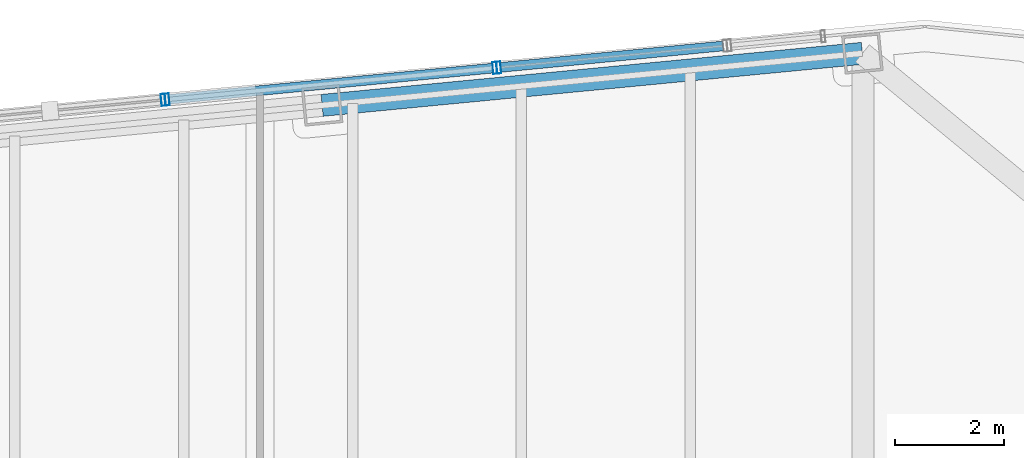
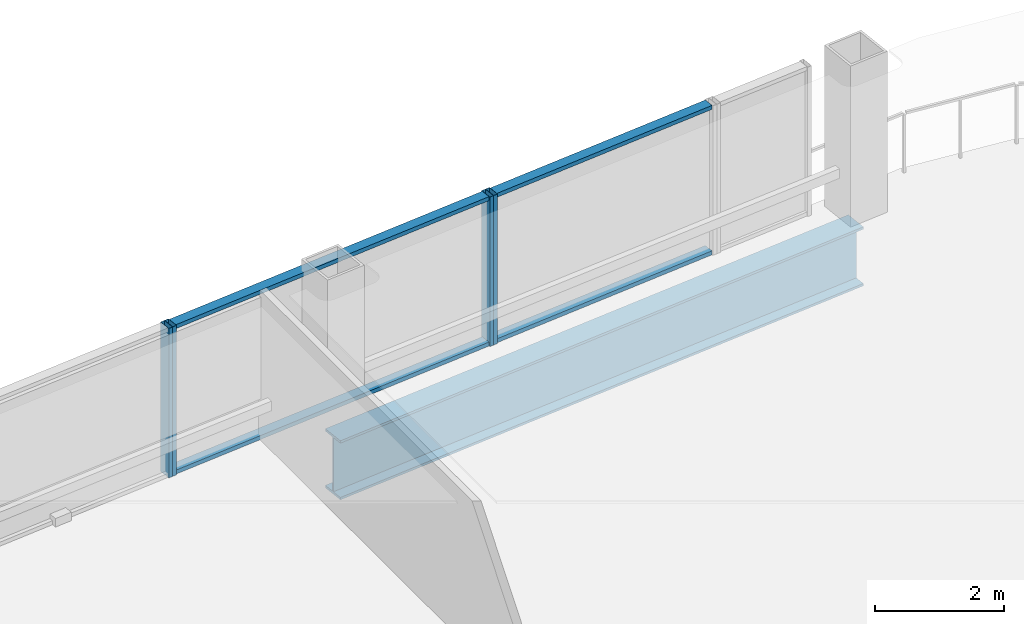
# One storey, part 21 of 28: 8 members, 1 beam, 3 elements without a shape of their own.
"""IFC4 building model written with IfcOpenShell, lengths in metres."""

from ifc_helpers import new_model, si_unit, direction, frame, origin, origin_2d, place, context, subcontext, project, spatial, hollow_rectangle, i_section, extrude, material, layer, layer_set, material_profile, profile_set, type_object, element, aggregate, save


model = new_model("IFC4")

# Units and contexts
model_context = context("Model", 3, precision=1e-05, world=origin(), true_north=direction((0.0, 1.0)))
body_context = subcontext(model_context, "Body", "Model", "MODEL_VIEW")
ifc_project = project(units=[si_unit("LENGTHUNIT", "METRE"), si_unit("AREAUNIT", "SQUARE_METRE"), si_unit("VOLUMEUNIT", "CUBIC_METRE"), si_unit("PLANEANGLEUNIT", "RADIAN"), si_unit("MASSUNIT", "GRAM", prefix="KILO")], contexts=[model_context])

# Site, building, storey
site_placement = place(None, origin())
site = spatial("IfcSite", under=ifc_project, at=site_placement, CompositionType="ELEMENT")
building_placement = place(site_placement, origin())
building = spatial("IfcBuilding", under=site, at=building_placement, Name="Qhalaya Broadcast Tower", CompositionType="ELEMENT")
storey_placement = place(building_placement, frame((0.0, 0.0, 159.199951171875)))
storey = spatial("IfcBuildingStorey", under=building, at=storey_placement, Name="L46", CompositionType="ELEMENT", Elevation=159.199951171875)

# Beam
ifc_material_1 = material(Name="Structural Steel ASTM A992 Grade 50", Category="steel")
ifc_material_profile_1 = material_profile(ifc_material_1, i_section(OverallWidth=0.404052734375, OverallDepth=1.117919921875, WebThickness=0.026123046875, FlangeThickness=0.044921875, at=origin_2d()), Name="W44X335")
ifc_profile_set_1 = profile_set([ifc_material_profile_1], Name="Structural Steel ASTM A992 Grade 50")
beam_type = type_object("IfcBeamType", Name="Podium Long-Span Primary Girder PG1", PredefinedType="USERDEFINED", material=ifc_profile_set_1)
beam_placement = place(storey_placement, frame((9.362060546875, 25.52783203125, -0.779052734375), z_axis=(-0.99539573508, -0.095850563819, 0.0), x_axis=(0.095850563819, -0.99539573508, 0.0)))
element("IfcBeam", 1, at=beam_placement, inside=storey, type_object=beam_type, Name="L46 PG1 L46-SPR-09", ObjectType="GIRDER", PredefinedType="USERDEFINED", context=body_context, shape_type="SweptSolid", body=[
    extrude(i_section(OverallWidth=0.404052734375, OverallDepth=1.117919921875, WebThickness=0.026123046875, FlangeThickness=0.044921875, at=origin_2d()), origin(), (0.0, 0.0, 1.0), 9.966796875),
])

# Curtain wall, member
ifc_material_2 = material(Name="Solar-Control Low-E Triple Glazing", Category="glass")
ifc_layer_1 = layer(ifc_material_2, 0.219970703125, Name="Solar-Control Low-E Triple Glazing")
ifc_layer_set_1 = layer_set([ifc_layer_1], Name="Solar-Control Low-E Triple Glazing")
curtain_wall_type_1 = type_object("IfcCurtainWallType", Name="Even-Block 4-Storey Double-Module Curtain Wall CW-03", PredefinedType="NOTDEFINED", material=ifc_layer_set_1)
curtain_wall_1_placement = place(storey_placement, origin())
curtain_wall_1 = element("IfcCurtainWall", 2, at=curtain_wall_1_placement, inside=storey, type_object=curtain_wall_type_1, Name="L46 Unitised Curtain Wall L46-CW-N2", PredefinedType="NOTDEFINED")
ifc_material_3 = material(Name="Anodised Aluminium 6063-T6", Category="aluminium")
ifc_material_profile_2 = material_profile(ifc_material_3, hollow_rectangle(XDim=0.074951171875, YDim=0.219970703125, WallThickness=0.00390625, at=origin_2d()), Name="ALU-MUL 75x220x4")
ifc_profile_set_2 = profile_set([ifc_material_profile_2], Name="Anodised Aluminium 6063-T6")
member_type_1 = type_object("IfcMemberType", Name="Unitised Curtain-Wall Mullion M01", PredefinedType="MULLION", material=ifc_profile_set_2)
member_1_placement = place(storey_placement, frame((2.685791015625, 25.266845703125, 0.0), z_axis=(0.0, 0.0, 1.0), x_axis=(-0.995397122956, -0.095836149814, 0.0)))
member_1 = element("IfcMember", 3, at=member_1_placement, type_object=member_type_1, Name="CW-03 mullion 2", PredefinedType="MULLION", context=body_context, shape_type="SweptSolid", body=[
    extrude(hollow_rectangle(XDim=0.074951171875, YDim=0.219970703125, WallThickness=0.00390625, at=origin_2d()), origin(), (0.0, 0.0, 1.0), 2.830078125),
])

# Curtain wall, members
ifc_material_4 = material(Name="Fired Architectural Terracotta", Category="masonry")
ifc_layer_2 = layer(ifc_material_4, 0.219970703125, Name="Fired Architectural Terracotta")
ifc_layer_set_2 = layer_set([ifc_layer_2], Name="Fired Architectural Terracotta")
curtain_wall_type_2 = type_object("IfcCurtainWallType", Name="Block-Cap Unitised Terracotta Spandrel Wall CW-07", PredefinedType="NOTDEFINED", material=ifc_layer_set_2)
curtain_wall_2_placement = place(storey_placement, origin())
curtain_wall_2 = element("IfcCurtainWall", 4, at=curtain_wall_2_placement, inside=storey, type_object=curtain_wall_type_2, Name="L46 Unitised Curtain Wall L46-CW-N3", PredefinedType="NOTDEFINED")
member_2_placement = place(storey_placement, frame((2.611083984375, 25.259521484375, 0.0), z_axis=(0.0, 0.0, 1.0), x_axis=(-0.995395960619, -0.095848221597, 0.0)))
member_2 = element("IfcMember", 5, at=member_2_placement, type_object=member_type_1, Name="CW-07 mullion 1", PredefinedType="MULLION", context=body_context, shape_type="SweptSolid", body=[
    extrude(hollow_rectangle(XDim=0.074951171875, YDim=0.219970703125, WallThickness=0.00390625, at=origin_2d()), origin(), (0.0, 0.0, 1.0), 2.830078125),
])
member_3_placement = place(storey_placement, frame((-3.403076171875, 24.680419921875, 0.0), z_axis=(0.0, 0.0, 1.0), x_axis=(-0.995395960619, -0.095848221597, 0.0)))
member_3 = element("IfcMember", 6, at=member_3_placement, type_object=member_type_1, Name="CW-07 mullion 2", PredefinedType="MULLION", context=body_context, shape_type="SweptSolid", body=[
    extrude(hollow_rectangle(XDim=0.074951171875, YDim=0.219970703125, WallThickness=0.00390625, at=origin_2d()), origin(), (0.0, 0.0, 1.0), 2.830078125),
])

# Curtain wall, member
curtain_wall_3_placement = place(storey_placement, origin())
curtain_wall_3 = element("IfcCurtainWall", 7, at=curtain_wall_3_placement, inside=storey, type_object=curtain_wall_type_1, Name="L46 Unitised Curtain Wall L46-CW-N4", PredefinedType="NOTDEFINED")
member_4_placement = place(storey_placement, frame((-3.477783203125, 24.67333984375, 0.0), z_axis=(0.0, 0.0, 1.0), x_axis=(-0.995395094286, -0.095857218151, 0.0)))
member_4 = element("IfcMember", 8, at=member_4_placement, type_object=member_type_1, Name="CW-03 mullion 1", PredefinedType="MULLION", context=body_context, shape_type="SweptSolid", body=[
    extrude(hollow_rectangle(XDim=0.074951171875, YDim=0.219970703125, WallThickness=0.00390625, at=origin_2d()), origin(), (0.0, 0.0, 1.0), 2.830078125),
])
aggregate(curtain_wall_3, [member_4])

# Member
ifc_material_profile_3 = material_profile(ifc_material_3, hollow_rectangle(XDim=0.074951171875, YDim=0.179931640625, WallThickness=0.00390625, at=origin_2d()), Name="ALU-TRN 75x180x4")
ifc_profile_set_3 = profile_set([ifc_material_profile_3], Name="Anodised Aluminium 6063-T6")
member_type_2 = type_object("IfcMemberType", Name="Unitised Curtain-Wall Transom T01", PredefinedType="USERDEFINED", material=ifc_profile_set_3)
member_5_placement = place(storey_placement, frame((6.80419921875, 25.663330078125, 0.03759765625), z_axis=(-0.995399423143, -0.095812256032, 0.0), x_axis=(0.0, 0.0, 1.0)))
member_5 = element("IfcMember", 9, at=member_5_placement, type_object=member_type_2, Name="CW-03 transom 1.1", ObjectType="TRANSOM", PredefinedType="USERDEFINED", context=body_context, shape_type="SweptSolid", body=[
    extrude(hollow_rectangle(XDim=0.074951171875, YDim=0.179931640625, WallThickness=0.00390625, at=origin_2d()), origin(), (0.0, 0.0, 1.0), 4.099853515625),
])

member_6_placement = place(storey_placement, frame((6.80419921875, 25.663330078125, 2.79248046875), z_axis=(-0.995399423143, -0.095812256032, 0.0), x_axis=(0.0, 0.0, 1.0)))
member_6 = element("IfcMember", 10, at=member_6_placement, type_object=member_type_2, Name="CW-03 transom 1.2", ObjectType="TRANSOM", PredefinedType="USERDEFINED", context=body_context, shape_type="SweptSolid", body=[
    extrude(hollow_rectangle(XDim=0.074951171875, YDim=0.179931640625, WallThickness=0.00390625, at=origin_2d()), origin(), (0.0, 0.0, 1.0), 4.099853515625),
])

aggregate(curtain_wall_1, [member_1, member_5, member_6])

member_7_placement = place(storey_placement, frame((2.57373046875, 25.256103515625, 0.03759765625), z_axis=(-0.995394324344, -0.095865213003, 0.0), x_axis=(0.0, 0.0, 1.0)))
member_7 = element("IfcMember", 11, at=member_7_placement, type_object=member_type_2, Name="CW-07 transom 1.1", ObjectType="TRANSOM", PredefinedType="USERDEFINED", context=body_context, shape_type="SweptSolid", body=[
    extrude(hollow_rectangle(XDim=0.074951171875, YDim=0.179931640625, WallThickness=0.00390625, at=origin_2d()), origin(), (0.0, 0.0, 1.0), 5.967041015625),
])

member_8_placement = place(storey_placement, frame((2.57373046875, 25.256103515625, 2.79248046875), z_axis=(-0.995394324344, -0.095865213003, 0.0), x_axis=(0.0, 0.0, 1.0)))
member_8 = element("IfcMember", 12, at=member_8_placement, type_object=member_type_2, Name="CW-07 transom 1.2", ObjectType="TRANSOM", PredefinedType="USERDEFINED", context=body_context, shape_type="SweptSolid", body=[
    extrude(hollow_rectangle(XDim=0.074951171875, YDim=0.179931640625, WallThickness=0.00390625, at=origin_2d()), origin(), (0.0, 0.0, 1.0), 5.967041015625),
])

aggregate(curtain_wall_2, [member_2, member_3, member_7, member_8])

save(model, "model.ifc")
